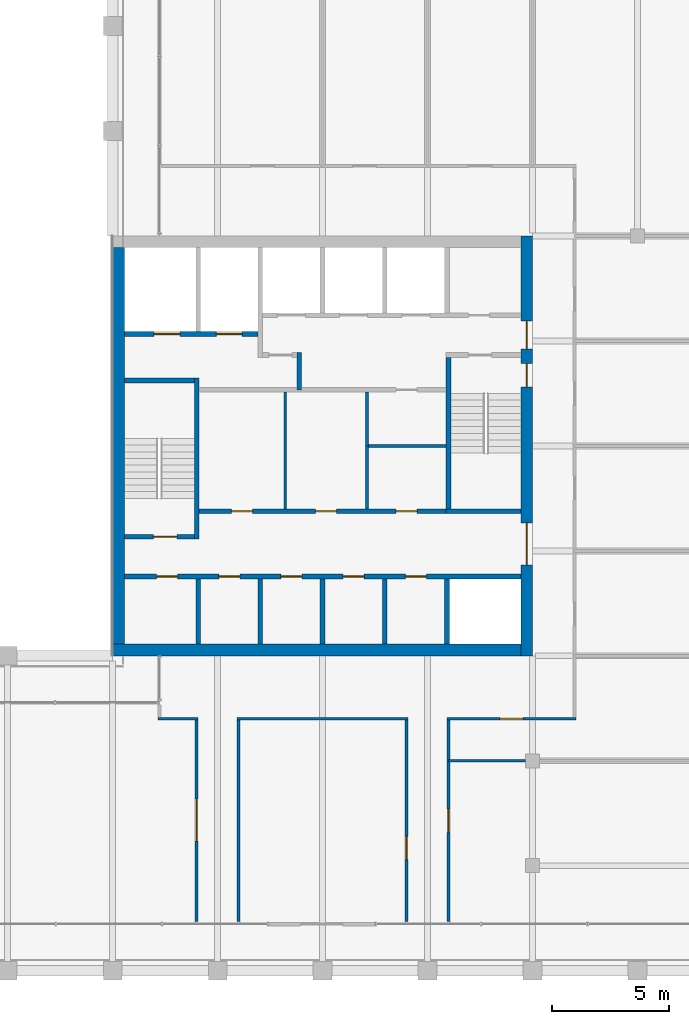
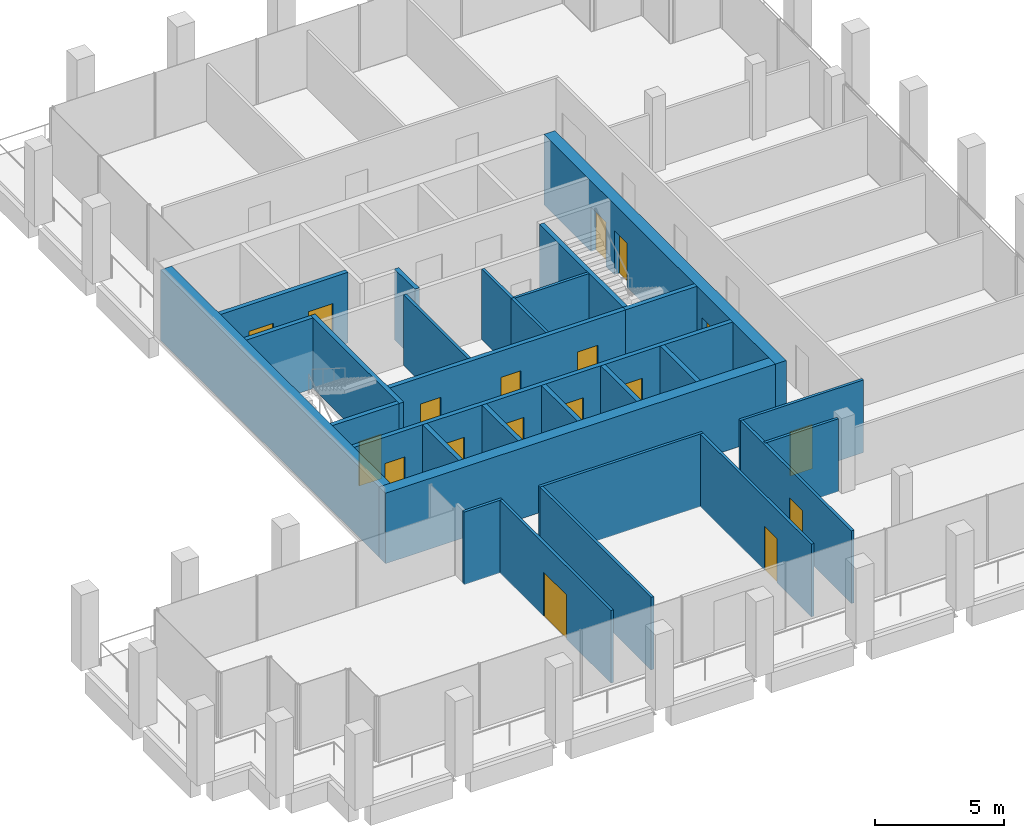
# One storey, part 28 of 30: 29 walls, 18 doors, 18 openings.
"""IFC4 building model written with IfcOpenShell, lengths in metres."""

import ifcopenshell
import ifcopenshell.guid

model = None  # the IFC model being written
_history = None  # IfcOwnerHistory: only IFC2X3 demands one
_inside = {}  # id of a spatial element -> (the spatial element, [elements in it])
_under = {}  # id of a project, library or spatial element -> (it, [spatial elements below it])
_declared = {}  # id of a project -> (the project, [libraries it declares])
_typed = {}  # id of a type object -> (the type object, [elements of that type])
_made_of = {}  # id of a material, layer set ... -> (it, [elements and type objects made of it])


def new_model(schema):
    """Start an empty IFC model of exactly this schema.

    Asked for "IFC4X3", IfcOpenShell would pick the latest addendum, in which some entities
    have other attributes; the version numbers below select the first issue.
    IFC2X3 requires an IfcOwnerHistory on every rooted entity: one is made here for all.
    """
    global model, _history
    if schema == "IFC4X3":
        model = ifcopenshell.file(schema_version=(4, 3, 0, 0))
    else:
        model = ifcopenshell.file(schema=schema)
    _inside.clear()
    _under.clear()
    _declared.clear()
    _typed.clear()
    _made_of.clear()
    _history = None
    if model.schema == "IFC2X3":
        org = make("IfcOrganization", Name="unknown")
        user = make(
            "IfcPersonAndOrganization",
            ThePerson=make("IfcPerson", FamilyName="unknown"),
            TheOrganization=org,
        )
        app = make(
            "IfcApplication",
            ApplicationDeveloper=org,
            Version="unknown",
            ApplicationFullName="unknown",
            ApplicationIdentifier="unknown",
        )
        _history = make(
            "IfcOwnerHistory",
            OwningUser=user,
            OwningApplication=app,
            ChangeAction="ADDED",
            CreationDate=0,
        )
    return model


def make(cls, **values):
    """One entity of the class cls with the attributes given. An attribute that is None is left unset."""
    return model.create_entity(
        cls, **{name: value for name, value in values.items() if value is not None}
    )


def rooted(cls, **values):
    """An entity with a GlobalId (a new one), such as an element, a storey or a relation."""
    return make(cls, GlobalId=ifcopenshell.guid.new(), OwnerHistory=_history, **values)


def si_unit(unit_type, name, prefix=None):
    """IfcSIUnit, for example si_unit("LENGTHUNIT", "METRE", prefix="MILLI")."""
    return make("IfcSIUnit", UnitType=unit_type, Prefix=prefix, Name=name)


def assignment(units):
    """IfcUnitAssignment: the units of a project."""
    return None if units is None else make("IfcUnitAssignment", Units=units)


def point(xyz):
    """IfcCartesianPoint."""
    return None if xyz is None else make("IfcCartesianPoint", Coordinates=xyz)


def direction(xyz):
    """IfcDirection."""
    return None if xyz is None else make("IfcDirection", DirectionRatios=xyz)


def frame(location, z_axis=None, x_axis=None):
    """IfcAxis2Placement3D, a coordinate frame: its origin and axes. An axis left out is left unset."""
    return make(
        "IfcAxis2Placement3D",
        Location=point(location),
        Axis=direction(z_axis),
        RefDirection=direction(x_axis),
    )


def frame_2d(location, x_axis=None):
    """IfcAxis2Placement2D, a coordinate frame in the plane: its origin and x axis."""
    return make(
        "IfcAxis2Placement2D", Location=point(location), RefDirection=direction(x_axis)
    )


def origin():
    """The frame at (0, 0, 0) with its axes left unset."""
    return frame((0.0, 0.0, 0.0))


def place(relative_to, where):
    """IfcLocalPlacement: puts the frame where relative to a parent placement (None: the world)."""
    return make(
        "IfcLocalPlacement", PlacementRelTo=relative_to, RelativePlacement=where
    )


def context(
    kind, dimensions, precision=None, world=None, true_north=None, identifier=None
):
    """IfcGeometricRepresentationContext, for example the 3D "Model" context."""
    return make(
        "IfcGeometricRepresentationContext",
        ContextIdentifier=identifier,
        ContextType=kind,
        CoordinateSpaceDimension=dimensions,
        Precision=precision,
        WorldCoordinateSystem=world,
        TrueNorth=true_north,
    )


def subcontext(parent, identifier, kind, view, scale=None):
    """IfcGeometricRepresentationSubContext, for example "Body" below "Model"."""
    return make(
        "IfcGeometricRepresentationSubContext",
        ContextIdentifier=identifier,
        ContextType=kind,
        ParentContext=parent,
        TargetScale=scale,
        TargetView=view,
    )


def project(units=None, contexts=None):
    """IfcProject with its units and contexts."""
    return rooted(
        "IfcProject",
        Name="project",
        RepresentationContexts=contexts,
        UnitsInContext=assignment(units),
    )


def spatial(cls, under=None, at=None, **own):
    """A site, building, storey or space (cls), placed at a placement, below another one or the project."""
    s = rooted(cls, ObjectPlacement=at, **own)
    if under is not None:
        _under.setdefault(under.id(), (under, []))[1].append(s)
    return s


def profile(cls, at=None, kind="AREA", **sizes):
    """A parametric profile (cls). Its sizes go by their IFC names, for example OverallWidth=200.0."""
    return make(cls, ProfileType=kind, Position=at, **sizes)


def rectangle(**sizes):
    """IfcRectangleProfileDef."""
    return profile("IfcRectangleProfileDef", **sizes)


def extrude(swept, where, along, depth):
    """IfcExtrudedAreaSolid: the profile swept, set in the frame where, extruded along a direction by depth."""
    return make(
        "IfcExtrudedAreaSolid",
        SweptArea=swept,
        Position=where,
        ExtrudedDirection=direction(along),
        Depth=depth,
    )


def shape(context_of_items, identifier, shape_type, items):
    """IfcShapeRepresentation: the items that make up one representation, for example the "Body"."""
    return make(
        "IfcShapeRepresentation",
        ContextOfItems=context_of_items,
        RepresentationIdentifier=identifier,
        RepresentationType=shape_type,
        Items=items,
    )


def material(Name=None, Category=None):
    """IfcMaterial."""
    return make("IfcMaterial", Name=Name, Category=Category)


def layer(
    of_material, thickness, ventilated=None, Name=None, Category=None, Priority=None
):
    """IfcMaterialLayer: one layer of a wall or slab, of a material (None: an air gap)."""
    return make(
        "IfcMaterialLayer",
        Material=of_material,
        LayerThickness=thickness,
        IsVentilated=ventilated,
        Name=Name,
        Category=Category,
        Priority=Priority,
    )


def layer_set(layers, Name=None):
    """IfcMaterialLayerSet."""
    return make("IfcMaterialLayerSet", MaterialLayers=layers, LayerSetName=Name)


def made_of(thing, what):
    """Note that an element or type object is made of a material, layer set ...; save() writes the relation."""
    if what is not None:
        _made_of.setdefault(what.id(), (what, []))[1].append(thing)
    return thing


def type_object(cls, material=None, **own):
    """A type object (cls), such as IfcWallType, which elements share."""
    return made_of(rooted(cls, **own), material)


def element(
    cls,
    number,
    at=None,
    inside=None,
    cuts=None,
    type_object=None,
    material=None,
    context=None,
    identifier="Body",
    shape_type=None,
    held_by="IfcProductDefinitionShape",
    body=None,
    shapes=None,
    **own,
):
    """One element of the class cls, such as IfcWall. Its Tag is "e" and its number.

    at: its placement. inside: the storey or other place that contains it. cuts: it is an
    opening in that element (IfcRelVoidsElement). A single representation is given by context,
    identifier, shape_type and body (its items); several are given by shapes. held_by: the class
    of the entity that holds the representations. save() writes the other relations.
    """
    e = rooted(cls, Tag="e%d" % number, ObjectPlacement=at, **own)
    if body is not None:
        shapes = [shape(context, identifier, shape_type, body)]
    if shapes is not None:
        e.Representation = make(held_by, Representations=shapes)
    if inside is not None:
        _inside.setdefault(inside.id(), (inside, []))[1].append(e)
    if cuts is not None:
        rooted(
            "IfcRelVoidsElement", RelatingBuildingElement=cuts, RelatedOpeningElement=e
        )
    if type_object is not None:
        _typed.setdefault(type_object.id(), (type_object, []))[1].append(e)
    return made_of(e, material)


def fill(opening, filler):
    """IfcRelFillsElement: the door or window that sits in an opening."""
    return rooted(
        "IfcRelFillsElement",
        RelatingOpeningElement=opening,
        RelatedBuildingElement=filler,
    )


def aggregate(whole, parts):
    """IfcRelAggregates: a whole, such as a stair, and the parts it consists of."""
    return rooted("IfcRelAggregates", RelatingObject=whole, RelatedObjects=parts)


def save(model, path):
    """Write the relations noted so far, then the file.

    IfcRelAggregates (storeys below a building ...), IfcRelContainedInSpatialStructure (elements
    in a storey), IfcRelDefinesByType, IfcRelAssociatesMaterial and IfcRelDeclares: one each for
    every whole, place, type object, material and project.
    """
    for whole, parts in _under.values():
        aggregate(whole, parts)
    for where, things in _inside.values():
        rooted(
            "IfcRelContainedInSpatialStructure",
            RelatedElements=things,
            RelatingStructure=where,
        )
    for kind, things in _typed.values():
        rooted("IfcRelDefinesByType", RelatedObjects=things, RelatingType=kind)
    for what, things in _made_of.values():
        rooted("IfcRelAssociatesMaterial", RelatedObjects=things, RelatingMaterial=what)
    for by, libraries in _declared.values():
        rooted("IfcRelDeclares", RelatingContext=by, RelatedDefinitions=libraries)
    model.write(path)


model = new_model("IFC4")

# Units and contexts
model_context = context("Model", 3, precision=1e-05, world=origin(), true_north=direction((0.0, 1.0)))
body_context = subcontext(model_context, "Body", "Model", "MODEL_VIEW")
ifc_project = project(units=[si_unit("LENGTHUNIT", "METRE"), si_unit("AREAUNIT", "SQUARE_METRE"), si_unit("VOLUMEUNIT", "CUBIC_METRE"), si_unit("PLANEANGLEUNIT", "RADIAN"), si_unit("MASSUNIT", "GRAM", prefix="KILO")], contexts=[model_context])

# Site, building, storey
site_placement = place(None, origin())
site = spatial("IfcSite", under=ifc_project, at=site_placement, CompositionType="ELEMENT")
building_placement = place(site_placement, origin())
building = spatial("IfcBuilding", under=site, at=building_placement, Name="Altepetl Exchange Towers", CompositionType="ELEMENT")
storey_placement = place(building_placement, frame((0.0, 0.0, 213.60009765625)))
storey = spatial("IfcBuildingStorey", under=building, at=storey_placement, Name="L54", CompositionType="ELEMENT", Elevation=213.60009765625)

# Wall, openings, doors
ifc_material_1 = material(Name="Concrete C70/85", Category="concrete")
ifc_layer_1 = layer(ifc_material_1, 0.5)
ifc_layer_set_1 = layer_set([ifc_layer_1], Name="Concrete C70/85")
wall_type_1 = type_object("IfcWallType", Name="Core wall 500 reinforced concrete", PredefinedType="SHEAR", material=ifc_layer_set_1)
wall_1_placement = place(storey_placement, frame((58.25, 40.5, 0.0), z_axis=(0.0, 0.0, 1.0), x_axis=(0.0, 1.0, 0.0)))
wall_1 = element("IfcWall", 1, at=wall_1_placement, inside=storey, type_object=wall_type_1, Name="wall:A:L54:K-coreE", PredefinedType="SHEAR", context=body_context, shape_type="SweptSolid", body=[
    extrude(rectangle(XDim=18.0, YDim=0.5, at=frame_2d((9.0, 0.0))), origin(), (0.0, 0.0, 1.0), 3.349853515625),
])
opening_1_placement = place(wall_1_placement, frame((13.14990234375, 0.0, 0.0)))
opening_1 = element("IfcOpeningElement", 2, at=opening_1_placement, cuts=wall_1, Name="Opening L54.A60", PredefinedType="OPENING", context=body_context, shape_type="SweptSolid", body=[
    extrude(rectangle(XDim=1.199951171875, YDim=2.10009765625, at=frame_2d((0.60009765625, 1.050048828125))), frame((0.0, 0.260009765625, 0.0), z_axis=(0.0, -1.0, 0.0), x_axis=(1.0, 0.0, 0.0)), (0.0, 0.0, 1.0), 0.52001953125),
])
opening_2_placement = place(wall_1_placement, frame((3.89990234375, 0.0, 0.0)))
opening_2 = element("IfcOpeningElement", 3, at=opening_2_placement, cuts=wall_1, Name="Opening L54.A61", PredefinedType="OPENING", context=body_context, shape_type="SweptSolid", body=[
    extrude(rectangle(XDim=1.800048828125, YDim=2.10009765625, at=frame_2d((0.89990234375, 1.050048828125))), frame((0.0, 0.260009765625, 0.0), z_axis=(0.0, -1.0, 0.0), x_axis=(1.0, 0.0, 0.0)), (0.0, 0.0, 1.0), 0.52001953125),
])
opening_3_placement = place(wall_1_placement, frame((11.52490234375, 0.0, 0.0)))
opening_3 = element("IfcOpeningElement", 4, at=opening_3_placement, cuts=wall_1, Name="Opening L54.A64", PredefinedType="OPENING", context=body_context, shape_type="SweptSolid", body=[
    extrude(rectangle(XDim=1.0, YDim=2.10009765625, at=frame_2d((0.5, 1.050048828125))), frame((0.0, 0.260009765625, 0.0), z_axis=(0.0, -1.0, 0.0), x_axis=(1.0, 0.0, 0.0)), (0.0, 0.0, 1.0), 0.52001953125),
])
ifc_material_2 = material(Name="Steel and timber fire door", Category="steel")
door_type_1 = type_object("IfcDoorType", Name="Fire door 1000 x 2100 stair and lobby", OperationType="SINGLE_SWING_LEFT", PredefinedType="DOOR", material=ifc_material_2)
door_1_placement = place(opening_3_placement, origin())
door_1 = element("IfcDoor", 5, at=door_1_placement, inside=storey, type_object=door_type_1, Name="door:A:L54:K-dS2x", OperationType="SINGLE_SWING_RIGHT", OverallHeight=2.10009765625, OverallWidth=1.0, PredefinedType="DOOR", context=body_context, shape_type="SweptSolid", body=[
    extrude(rectangle(XDim=1.0, YDim=2.10009765625, at=frame_2d((0.5, 1.050048828125))), frame((0.0, 0.02490234375, 0.0), z_axis=(0.0, -1.0, 0.0), x_axis=(1.0, 0.0, 0.0)), (0.0, 0.0, 1.0), 0.050048828125),
])
fill(opening_3, door_1)
door_type_2 = type_object("IfcDoorType", Name="Fire door 1200 x 2100 lobby entry", OperationType="SINGLE_SWING_LEFT", PredefinedType="DOOR", material=ifc_material_2)
door_2_placement = place(opening_1_placement, origin())
door_2 = element("IfcDoor", 6, at=door_2_placement, inside=storey, type_object=door_type_2, Name="door:A:L54:K-dLNE", OperationType="SINGLE_SWING_RIGHT", OverallHeight=2.10009765625, OverallWidth=1.199951171875, PredefinedType="DOOR", context=body_context, shape_type="SweptSolid", body=[
    extrude(rectangle(XDim=1.199951171875, YDim=2.10009765625, at=frame_2d((0.60009765625, 1.050048828125))), frame((0.0, 0.02490234375, 0.0), z_axis=(0.0, -1.0, 0.0), x_axis=(1.0, 0.0, 0.0)), (0.0, 0.0, 1.0), 0.050048828125),
])
fill(opening_1, door_2)
door_type_3 = type_object("IfcDoorType", Name="Fire door 1800 x 2100 lobby entry", OperationType="DOUBLE_DOOR_SINGLE_SWING", PredefinedType="DOOR", material=ifc_material_2)
door_3_placement = place(opening_2_placement, origin())
door_3 = element("IfcDoor", 7, at=door_3_placement, inside=storey, type_object=door_type_3, Name="door:A:L54:K-dLSE", OperationType="DOUBLE_DOOR_SINGLE_SWING", OverallHeight=2.10009765625, OverallWidth=1.800048828125, PredefinedType="DOOR", context=body_context, shape_type="SweptSolid", body=[
    extrude(rectangle(XDim=1.800048828125, YDim=2.10009765625, at=frame_2d((0.89990234375, 1.050048828125))), frame((0.0, 0.02490234375, 0.0), z_axis=(0.0, -1.0, 0.0), x_axis=(1.0, 0.0, 0.0)), (0.0, 0.0, 1.0), 0.050048828125),
])
fill(opening_2, door_3)

# Walls
wall_2_placement = place(storey_placement, frame((40.5, 40.75, 0.0)))
element("IfcWall", 8, at=wall_2_placement, inside=storey, type_object=wall_type_1, Name="wall:A:L54:K-coreS", PredefinedType="SHEAR", context=body_context, shape_type="SweptSolid", body=[
    extrude(rectangle(XDim=17.5, YDim=0.5, at=frame_2d((8.75, 0.0))), origin(), (0.0, 0.0, 1.0), 3.349853515625),
])
ifc_layer_2 = layer(ifc_material_1, 0.5)
ifc_layer_set_2 = layer_set([ifc_layer_2], Name="Concrete C70/85")
wall_type_2 = type_object("IfcWallType", Name="Core wall 500 reinforced concrete external", PredefinedType="SHEAR", material=ifc_layer_set_2)
wall_3_placement = place(storey_placement, frame((40.75, 41.0, 0.0), z_axis=(0.0, 0.0, 1.0), x_axis=(0.0, 1.0, 0.0)))
element("IfcWall", 9, at=wall_3_placement, inside=storey, type_object=wall_type_2, Name="wall:A:L54:K-coreW", PredefinedType="SHEAR", context=body_context, shape_type="SweptSolid", body=[
    extrude(rectangle(XDim=17.0, YDim=0.5, at=frame_2d((8.5, 0.0))), origin(), (0.0, 0.0, 1.0), 3.349853515625),
])
ifc_material_3 = material(Name="Concrete blockwork", Category="masonry")
ifc_layer_3 = layer(ifc_material_3, 0.199951171875)
ifc_layer_set_3 = layer_set([ifc_layer_3], Name="Concrete blockwork")
wall_type_3 = type_object("IfcWallType", Name="Lobby wall 200 blockwork", PredefinedType="PARTITIONING", material=ifc_layer_set_3)
wall_4_placement = place(storey_placement, frame((48.5, 51.89990234375, 0.0), z_axis=(0.0, 0.0, 1.0), x_axis=(0.0, 1.0, 0.0)))
element("IfcWall", 10, at=wall_4_placement, inside=storey, type_object=wall_type_3, Name="wall:A:L54:K-ffE", PredefinedType="PARTITIONING", context=body_context, shape_type="SweptSolid", body=[
    extrude(rectangle(XDim=1.60009765625, YDim=0.199951171875, at=frame_2d((0.800048828125, 0.0))), origin(), (0.0, 0.0, 1.0), 3.349853515625),
])

# Wall, openings, doors
wall_5_placement = place(storey_placement, frame((44.199951171875, 46.699951171875, 0.0)))
wall_5 = element("IfcWall", 11, at=wall_5_placement, inside=storey, type_object=wall_type_3, Name="wall:A:L54:K-zoneS", PredefinedType="PARTITIONING", context=body_context, shape_type="SweptSolid", body=[
    extrude(rectangle(XDim=10.60009765625, YDim=0.199951171875, at=frame_2d((5.300048828125, 0.0))), origin(), (0.0, 0.0, 1.0), 3.349853515625),
])
opening_4_placement = place(wall_5_placement, frame((1.39990234375, 0.0, 0.0)))
opening_4 = element("IfcOpeningElement", 12, at=opening_4_placement, cuts=wall_5, Name="Opening L54.A72", PredefinedType="OPENING", context=body_context, shape_type="SweptSolid", body=[
    extrude(rectangle(XDim=0.89990234375, YDim=2.10009765625, at=frame_2d((0.449951171875, 1.050048828125))), frame((0.0, 0.10986328125, 0.0), z_axis=(0.0, -1.0, 0.0), x_axis=(1.0, 0.0, 0.0)), (0.0, 0.0, 1.0), 0.219970703125),
])
opening_5_placement = place(wall_5_placement, frame((5.0, 0.0, 0.0)))
opening_5 = element("IfcOpeningElement", 13, at=opening_5_placement, cuts=wall_5, Name="Opening L54.A73", PredefinedType="OPENING", context=body_context, shape_type="SweptSolid", body=[
    extrude(rectangle(XDim=0.89990234375, YDim=2.10009765625, at=frame_2d((0.449951171875, 1.050048828125))), frame((0.0, 0.10986328125, 0.0), z_axis=(0.0, -1.0, 0.0), x_axis=(1.0, 0.0, 0.0)), (0.0, 0.0, 1.0), 0.219970703125),
])
opening_6_placement = place(wall_5_placement, frame((8.449951171875, 0.0, 0.0)))
opening_6 = element("IfcOpeningElement", 14, at=opening_6_placement, cuts=wall_5, Name="Opening L54.A74", PredefinedType="OPENING", context=body_context, shape_type="SweptSolid", body=[
    extrude(rectangle(XDim=0.89990234375, YDim=2.10009765625, at=frame_2d((0.449951171875, 1.050048828125))), frame((0.0, 0.10986328125, 0.0), z_axis=(0.0, -1.0, 0.0), x_axis=(1.0, 0.0, 0.0)), (0.0, 0.0, 1.0), 0.219970703125),
])
door_type_4 = type_object("IfcDoorType", Name="Fire door 900 x 2100 service room", OperationType="SINGLE_SWING_LEFT", PredefinedType="DOOR", material=ifc_material_2)
door_4_placement = place(opening_4_placement, origin())
door_4 = element("IfcDoor", 15, at=door_4_placement, inside=storey, type_object=door_type_4, Name="door:A:L54:K-dz1", OperationType="SINGLE_SWING_LEFT", OverallHeight=2.10009765625, OverallWidth=0.89990234375, PredefinedType="DOOR", context=body_context, shape_type="SweptSolid", body=[
    extrude(rectangle(XDim=0.89990234375, YDim=2.10009765625, at=frame_2d((0.449951171875, 1.050048828125))), frame((0.0, 0.02490234375, 0.0), z_axis=(0.0, -1.0, 0.0), x_axis=(1.0, 0.0, 0.0)), (0.0, 0.0, 1.0), 0.050048828125),
])
fill(opening_4, door_4)
door_5_placement = place(opening_5_placement, origin())
door_5 = element("IfcDoor", 16, at=door_5_placement, inside=storey, type_object=door_type_4, Name="door:A:L54:K-dz2", OperationType="SINGLE_SWING_RIGHT", OverallHeight=2.10009765625, OverallWidth=0.89990234375, PredefinedType="DOOR", context=body_context, shape_type="SweptSolid", body=[
    extrude(rectangle(XDim=0.89990234375, YDim=2.10009765625, at=frame_2d((0.449951171875, 1.050048828125))), frame((0.0, 0.02490234375, 0.0), z_axis=(0.0, -1.0, 0.0), x_axis=(1.0, 0.0, 0.0)), (0.0, 0.0, 1.0), 0.050048828125),
])
fill(opening_5, door_5)
door_6_placement = place(opening_6_placement, origin())
door_6 = element("IfcDoor", 17, at=door_6_placement, inside=storey, type_object=door_type_4, Name="door:A:L54:K-dz3", OperationType="SINGLE_SWING_RIGHT", OverallHeight=2.10009765625, OverallWidth=0.89990234375, PredefinedType="DOOR", context=body_context, shape_type="SweptSolid", body=[
    extrude(rectangle(XDim=0.89990234375, YDim=2.10009765625, at=frame_2d((0.449951171875, 1.050048828125))), frame((0.0, 0.02490234375, 0.0), z_axis=(0.0, -1.0, 0.0), x_axis=(1.0, 0.0, 0.0)), (0.0, 0.0, 1.0), 0.050048828125),
])
fill(opening_6, door_6)

# Walls
ifc_material_4 = material(Name="Gypsum board on steel studs", Category="steel")
ifc_layer_4 = layer(ifc_material_4, 0.125)
ifc_layer_set_4 = layer_set([ifc_layer_4], Name="Gypsum board on steel studs")
wall_type_4 = type_object("IfcWallType", Name="Partition 125 gypsum board on steel studs", PredefinedType="PARTITIONING", material=ifc_layer_set_4)
wall_6_placement = place(storey_placement, frame((47.89990234375, 46.800048828125, 0.0), z_axis=(0.0, 0.0, 1.0), x_axis=(0.0, 1.0, 0.0)))
element("IfcWall", 18, at=wall_6_placement, inside=storey, type_object=wall_type_4, Name="wall:A:L54:K-zp1", PredefinedType="PARTITIONING", context=body_context, shape_type="SweptSolid", body=[
    extrude(rectangle(XDim=5.0, YDim=0.125, at=frame_2d((2.5, 0.0))), origin(), (0.0, 0.0, 1.0), 3.349853515625),
])
wall_7_placement = place(storey_placement, frame((51.39990234375, 46.800048828125, 0.0), z_axis=(0.0, 0.0, 1.0), x_axis=(0.0, 1.0, 0.0)))
element("IfcWall", 19, at=wall_7_placement, inside=storey, type_object=wall_type_4, Name="wall:A:L54:K-zp2", PredefinedType="PARTITIONING", context=body_context, shape_type="SweptSolid", body=[
    extrude(rectangle(XDim=2.762451171875, YDim=0.125, at=frame_2d((1.38134765625, 0.0))), origin(), (0.0, 0.0, 1.0), 3.349853515625),
])
wall_8_placement = place(storey_placement, frame((54.800048828125, 49.5, 0.0), z_axis=(0.0, 0.0, 1.0), x_axis=(-1.0, 0.0, 0.0)))
element("IfcWall", 20, at=wall_8_placement, inside=storey, type_object=wall_type_4, Name="wall:A:L54:K-zp3", PredefinedType="PARTITIONING", context=body_context, shape_type="SweptSolid", body=[
    extrude(rectangle(XDim=3.337646484375, YDim=0.125, at=frame_2d((1.6689453125, 0.0))), origin(), (0.0, 0.0, 1.0), 3.349853515625),
])
wall_9_placement = place(storey_placement, frame((51.39990234375, 49.5, 0.0), z_axis=(0.0, 0.0, 1.0), x_axis=(0.0, 1.0, 0.0)))
element("IfcWall", 21, at=wall_9_placement, inside=storey, type_object=wall_type_4, Name="wall:A:L54:K-zp4", PredefinedType="PARTITIONING", context=body_context, shape_type="SweptSolid", body=[
    extrude(rectangle(XDim=2.300048828125, YDim=0.125, at=frame_2d((1.14990234375, 0.0))), origin(), (0.0, 0.0, 1.0), 3.349853515625),
])
wall_10_placement = place(storey_placement, frame((54.89990234375, 36.0, 0.0)))
element("IfcWall", 22, at=wall_10_placement, inside=storey, type_object=wall_type_4, Name="wall:A:L54:P01", PredefinedType="PARTITIONING", context=body_context, shape_type="SweptSolid", body=[
    extrude(rectangle(XDim=3.300048828125, YDim=0.125, at=frame_2d((1.64990234375, 0.0))), origin(), (0.0, 0.0, 1.0), 3.449951171875),
])
wall_11_placement = place(storey_placement, frame((42.4375, 37.800048828125, 0.0)))
element("IfcWall", 23, at=wall_11_placement, inside=storey, type_object=wall_type_4, Name="wall:A:L54:P03", PredefinedType="PARTITIONING", context=body_context, shape_type="SweptSolid", body=[
    extrude(rectangle(XDim=1.72509765625, YDim=0.125, at=frame_2d((0.862548828125, 0.0))), origin(), (0.0, 0.0, 1.0), 3.449951171875),
])
wall_12_placement = place(storey_placement, frame((45.83740234375, 37.800048828125, 0.0)))
element("IfcWall", 24, at=wall_12_placement, inside=storey, type_object=wall_type_4, Name="wall:A:L54:P04", PredefinedType="PARTITIONING", context=body_context, shape_type="SweptSolid", body=[
    extrude(rectangle(XDim=7.3251953125, YDim=0.125, at=frame_2d((3.66259765625, 0.0))), origin(), (0.0, 0.0, 1.0), 3.449951171875),
])

# Wall, opening, door
wall_13_placement = place(storey_placement, frame((54.83740234375, 37.800048828125, 0.0)))
wall_13 = element("IfcWall", 25, at=wall_13_placement, inside=storey, type_object=wall_type_4, Name="wall:A:L54:P05", PredefinedType="PARTITIONING", context=body_context, shape_type="SweptSolid", body=[
    extrude(rectangle(XDim=5.525146484375, YDim=0.125, at=frame_2d((2.7626953125, 0.0))), origin(), (0.0, 0.0, 1.0), 3.449951171875),
])
opening_7_placement = place(wall_13_placement, frame((2.262451171875, 0.0, 0.0)))
opening_7 = element("IfcOpeningElement", 26, at=opening_7_placement, cuts=wall_13, Name="Opening L54.A04", PredefinedType="OPENING", context=body_context, shape_type="SweptSolid", body=[
    extrude(rectangle(XDim=1.0, YDim=2.10009765625, at=frame_2d((0.5, 1.050048828125))), frame((0.0, 0.072509765625, 0.0), z_axis=(0.0, -1.0, 0.0), x_axis=(1.0, 0.0, 0.0)), (0.0, 0.0, 1.0), 0.14501953125),
])
door_type_5 = type_object("IfcDoorType", Name="Fire door 1000 x 2100 single leaf", OperationType="SINGLE_SWING_LEFT", PredefinedType="DOOR", material=ifc_material_2)
door_7_placement = place(opening_7_placement, origin())
door_7 = element("IfcDoor", 27, at=door_7_placement, inside=storey, type_object=door_type_5, Name="door:A:L54:04", OperationType="SINGLE_SWING_LEFT", OverallHeight=2.10009765625, OverallWidth=1.0, PredefinedType="DOOR", context=body_context, shape_type="SweptSolid", body=[
    extrude(rectangle(XDim=1.0, YDim=2.10009765625, at=frame_2d((0.5, 1.050048828125))), frame((0.0, 0.02490234375, 0.0), z_axis=(0.0, -1.0, 0.0), x_axis=(1.0, 0.0, 0.0)), (0.0, 0.0, 1.0), 0.050048828125),
])
fill(opening_7, door_7)

wall_14_placement = place(storey_placement, frame((44.10009765625, 29.10009765625, 0.0), z_axis=(0.0, 0.0, 1.0), x_axis=(0.0, 1.0, 0.0)))
wall_14 = element("IfcWall", 28, at=wall_14_placement, inside=storey, type_object=wall_type_4, Name="wall:A:L54:P15", PredefinedType="PARTITIONING", context=body_context, shape_type="SweptSolid", body=[
    extrude(rectangle(XDim=8.637451171875, YDim=0.125, at=frame_2d((4.31884765625, 0.0))), origin(), (0.0, 0.0, 1.0), 3.449951171875),
])
opening_8_placement = place(wall_14_placement, frame((3.449951171875, 0.0, 0.0)))
opening_8 = element("IfcOpeningElement", 29, at=opening_8_placement, cuts=wall_14, Name="Opening L54.A01", PredefinedType="OPENING", context=body_context, shape_type="SweptSolid", body=[
    extrude(rectangle(XDim=1.800048828125, YDim=2.10009765625, at=frame_2d((0.89990234375, 1.050048828125))), frame((0.0, 0.072509765625, 0.0), z_axis=(0.0, -1.0, 0.0), x_axis=(1.0, 0.0, 0.0)), (0.0, 0.0, 1.0), 0.14501953125),
])
door_type_6 = type_object("IfcDoorType", Name="Fire door 1800 x 2100 double leaf", OperationType="DOUBLE_DOOR_SINGLE_SWING", PredefinedType="DOOR", material=ifc_material_2)
door_8_placement = place(opening_8_placement, origin())
door_8 = element("IfcDoor", 30, at=door_8_placement, inside=storey, type_object=door_type_6, Name="door:A:L54:01", OperationType="DOUBLE_DOOR_SINGLE_SWING", OverallHeight=2.10009765625, OverallWidth=1.800048828125, PredefinedType="DOOR", context=body_context, shape_type="SweptSolid", body=[
    extrude(rectangle(XDim=1.800048828125, YDim=2.10009765625, at=frame_2d((0.89990234375, 1.050048828125))), frame((0.0, 0.02490234375, 0.0), z_axis=(0.0, -1.0, 0.0), x_axis=(1.0, 0.0, 0.0)), (0.0, 0.0, 1.0), 0.050048828125),
])
fill(opening_8, door_8)

# Wall
wall_15_placement = place(storey_placement, frame((45.89990234375, 29.10009765625, 0.0), z_axis=(0.0, 0.0, 1.0), x_axis=(0.0, 1.0, 0.0)))
element("IfcWall", 31, at=wall_15_placement, inside=storey, type_object=wall_type_4, Name="wall:A:L54:P16", PredefinedType="PARTITIONING", context=body_context, shape_type="SweptSolid", body=[
    extrude(rectangle(XDim=8.637451171875, YDim=0.125, at=frame_2d((4.31884765625, 0.0))), origin(), (0.0, 0.0, 1.0), 3.449951171875),
])

# Wall, opening, door
wall_16_placement = place(storey_placement, frame((53.10009765625, 29.10009765625, 0.0), z_axis=(0.0, 0.0, 1.0), x_axis=(0.0, 1.0, 0.0)))
wall_16 = element("IfcWall", 32, at=wall_16_placement, inside=storey, type_object=wall_type_4, Name="wall:A:L54:P18", PredefinedType="PARTITIONING", context=body_context, shape_type="SweptSolid", body=[
    extrude(rectangle(XDim=8.637451171875, YDim=0.125, at=frame_2d((4.31884765625, 0.0))), origin(), (0.0, 0.0, 1.0), 3.449951171875),
])
opening_9_placement = place(wall_16_placement, frame((2.659912109375, 0.0, 0.0)))
opening_9 = element("IfcOpeningElement", 33, at=opening_9_placement, cuts=wall_16, Name="Opening L54.A02", PredefinedType="OPENING", context=body_context, shape_type="SweptSolid", body=[
    extrude(rectangle(XDim=1.0, YDim=2.10009765625, at=frame_2d((0.5, 1.050048828125))), frame((0.0, 0.072509765625, 0.0), z_axis=(0.0, -1.0, 0.0), x_axis=(1.0, 0.0, 0.0)), (0.0, 0.0, 1.0), 0.14501953125),
])
door_9_placement = place(opening_9_placement, origin())
door_9 = element("IfcDoor", 34, at=door_9_placement, inside=storey, type_object=door_type_5, Name="door:A:L54:02", OperationType="SINGLE_SWING_RIGHT", OverallHeight=2.10009765625, OverallWidth=1.0, PredefinedType="DOOR", context=body_context, shape_type="SweptSolid", body=[
    extrude(rectangle(XDim=1.0, YDim=2.10009765625, at=frame_2d((0.5, 1.050048828125))), frame((0.0, 0.02490234375, 0.0), z_axis=(0.0, -1.0, 0.0), x_axis=(1.0, 0.0, 0.0)), (0.0, 0.0, 1.0), 0.050048828125),
])
fill(opening_9, door_9)

wall_17_placement = place(storey_placement, frame((54.89990234375, 29.10009765625, 0.0), z_axis=(0.0, 0.0, 1.0), x_axis=(0.0, 1.0, 0.0)))
wall_17 = element("IfcWall", 35, at=wall_17_placement, inside=storey, type_object=wall_type_4, Name="wall:A:L54:P20", PredefinedType="PARTITIONING", context=body_context, shape_type="SweptSolid", body=[
    extrude(rectangle(XDim=8.637451171875, YDim=0.125, at=frame_2d((4.31884765625, 0.0))), origin(), (0.0, 0.0, 1.0), 3.449951171875),
])
opening_10_placement = place(wall_17_placement, frame((3.824951171875, 0.0, 0.0)))
opening_10 = element("IfcOpeningElement", 36, at=opening_10_placement, cuts=wall_17, Name="Opening L54.A03", PredefinedType="OPENING", context=body_context, shape_type="SweptSolid", body=[
    extrude(rectangle(XDim=1.0, YDim=2.10009765625, at=frame_2d((0.5, 1.050048828125))), frame((0.0, 0.072509765625, 0.0), z_axis=(0.0, -1.0, 0.0), x_axis=(1.0, 0.0, 0.0)), (0.0, 0.0, 1.0), 0.14501953125),
])
door_10_placement = place(opening_10_placement, frame((1.0, 0.0, 0.0), x_axis=(-1.0, 0.0, 0.0)))
door_10 = element("IfcDoor", 37, at=door_10_placement, inside=storey, type_object=door_type_5, Name="door:A:L54:03", OperationType="SINGLE_SWING_LEFT", OverallHeight=2.10009765625, OverallWidth=1.0, PredefinedType="DOOR", context=body_context, shape_type="SweptSolid", body=[
    extrude(rectangle(XDim=1.0, YDim=2.10009765625, at=frame_2d((0.5, 1.050048828125))), frame((0.0, 0.02490234375, 0.0), z_axis=(0.0, -1.0, 0.0), x_axis=(1.0, 0.0, 0.0)), (0.0, 0.0, 1.0), 0.050048828125),
])
fill(opening_10, door_10)

# Wall
ifc_material_5 = material(Name="Concrete C40/50", Category="concrete")
ifc_layer_5 = layer(ifc_material_5, 0.199951171875)
ifc_layer_set_5 = layer_set([ifc_layer_5], Name="Concrete C40/50")
wall_type_5 = type_object("IfcWallType", Name="Shaft wall 200 reinforced concrete", PredefinedType="SHEAR", material=ifc_layer_set_5)
wall_18_placement = place(storey_placement, frame((54.833251953125, 41.0, 0.0), z_axis=(0.0, 0.0, 1.0), x_axis=(0.0, 1.0, 0.0)))
element("IfcWall", 38, at=wall_18_placement, inside=storey, type_object=wall_type_5, Name="wall:A:L54:K-divS5", PredefinedType="SHEAR", context=body_context, shape_type="SweptSolid", body=[
    extrude(rectangle(XDim=2.800048828125, YDim=0.199951171875, at=frame_2d((1.39990234375, 0.0))), origin(), (0.0, 0.0, 1.0), 3.349853515625),
])

# Wall, openings, doors
wall_19_placement = place(storey_placement, frame((41.0, 54.300048828125, 0.0)))
wall_19 = element("IfcWall", 39, at=wall_19_placement, inside=storey, type_object=wall_type_5, Name="wall:A:L54:K-frontNd", PredefinedType="SHEAR", context=body_context, shape_type="SweptSolid", body=[
    extrude(rectangle(XDim=5.7333984375, YDim=0.199951171875, at=frame_2d((2.86669921875, 0.0))), origin(), (0.0, 0.0, 1.0), 3.349853515625),
])
opening_11_placement = place(wall_19_placement, frame((1.283203125, 0.0, 0.0)))
opening_11 = element("IfcOpeningElement", 40, at=opening_11_placement, cuts=wall_19, Name="Opening L54.A76", PredefinedType="OPENING", context=body_context, shape_type="SweptSolid", body=[
    extrude(rectangle(XDim=1.10009765625, YDim=2.10009765625, at=frame_2d((0.550048828125, 1.050048828125))), frame((0.0, 0.10986328125, 0.0), z_axis=(0.0, -1.0, 0.0), x_axis=(1.0, 0.0, 0.0)), (0.0, 0.0, 1.0), 0.219970703125),
])
opening_12_placement = place(wall_19_placement, frame((3.949951171875, 0.0, 0.0)))
opening_12 = element("IfcOpeningElement", 41, at=opening_12_placement, cuts=wall_19, Name="Opening L54.A77", PredefinedType="OPENING", context=body_context, shape_type="SweptSolid", body=[
    extrude(rectangle(XDim=1.10009765625, YDim=2.10009765625, at=frame_2d((0.550048828125, 1.050048828125))), frame((0.0, 0.10986328125, 0.0), z_axis=(0.0, -1.0, 0.0), x_axis=(1.0, 0.0, 0.0)), (0.0, 0.0, 1.0), 0.219970703125),
])
ifc_material_6 = material(Name="Stainless steel", Category="steel")
door_type_7 = type_object("IfcDoorType", Name="Lift landing door 1100 x 2100", OperationType="SLIDING_TO_LEFT", PredefinedType="DOOR", material=ifc_material_6)
door_11_placement = place(opening_11_placement, origin())
door_11 = element("IfcDoor", 42, at=door_11_placement, inside=storey, type_object=door_type_7, Name="Landing door FFL1", OperationType="SLIDING_TO_LEFT", OverallHeight=2.10009765625, OverallWidth=1.10009765625, PredefinedType="DOOR", context=body_context, shape_type="SweptSolid", body=[
    extrude(rectangle(XDim=1.10009765625, YDim=2.10009765625, at=frame_2d((0.550048828125, 1.050048828125))), frame((0.0, 0.02490234375, 0.0), z_axis=(0.0, -1.0, 0.0), x_axis=(1.0, 0.0, 0.0)), (0.0, 0.0, 1.0), 0.050048828125),
])
fill(opening_11, door_11)
door_12_placement = place(opening_12_placement, origin())
door_12 = element("IfcDoor", 43, at=door_12_placement, inside=storey, type_object=door_type_7, Name="Landing door FFL2", OperationType="SLIDING_TO_LEFT", OverallHeight=2.10009765625, OverallWidth=1.10009765625, PredefinedType="DOOR", context=body_context, shape_type="SweptSolid", body=[
    extrude(rectangle(XDim=1.10009765625, YDim=2.10009765625, at=frame_2d((0.550048828125, 1.050048828125))), frame((0.0, 0.02490234375, 0.0), z_axis=(0.0, -1.0, 0.0), x_axis=(1.0, 0.0, 0.0)), (0.0, 0.0, 1.0), 0.050048828125),
])
fill(opening_12, door_12)

wall_20_placement = place(storey_placement, frame((41.0, 43.89990234375, 0.0)))
wall_20 = element("IfcWall", 44, at=wall_20_placement, inside=storey, type_object=wall_type_5, Name="wall:A:L54:K-frontS", PredefinedType="SHEAR", context=body_context, shape_type="SweptSolid", body=[
    extrude(rectangle(XDim=17.0, YDim=0.199951171875, at=frame_2d((8.5, 0.0))), origin(), (0.0, 0.0, 1.0), 3.349853515625),
])
opening_13_placement = place(wall_20_placement, frame((1.38330078125, 0.0, 0.0)))
opening_13 = element("IfcOpeningElement", 45, at=opening_13_placement, cuts=wall_20, Name="Opening L54.A67", PredefinedType="OPENING", context=body_context, shape_type="SweptSolid", body=[
    extrude(rectangle(XDim=0.89990234375, YDim=2.10009765625, at=frame_2d((0.449951171875, 1.050048828125))), frame((0.0, 0.10986328125, 0.0), z_axis=(0.0, -1.0, 0.0), x_axis=(1.0, 0.0, 0.0)), (0.0, 0.0, 1.0), 0.219970703125),
])
opening_14_placement = place(wall_20_placement, frame((4.050048828125, 0.0, 0.0)))
opening_14 = element("IfcOpeningElement", 46, at=opening_14_placement, cuts=wall_20, Name="Opening L54.A68", PredefinedType="OPENING", context=body_context, shape_type="SweptSolid", body=[
    extrude(rectangle(XDim=0.89990234375, YDim=2.10009765625, at=frame_2d((0.449951171875, 1.050048828125))), frame((0.0, 0.10986328125, 0.0), z_axis=(0.0, -1.0, 0.0), x_axis=(1.0, 0.0, 0.0)), (0.0, 0.0, 1.0), 0.219970703125),
])
opening_15_placement = place(wall_20_placement, frame((6.716796875, 0.0, 0.0)))
opening_15 = element("IfcOpeningElement", 47, at=opening_15_placement, cuts=wall_20, Name="Opening L54.A69", PredefinedType="OPENING", context=body_context, shape_type="SweptSolid", body=[
    extrude(rectangle(XDim=0.89990234375, YDim=2.10009765625, at=frame_2d((0.449951171875, 1.050048828125))), frame((0.0, 0.10986328125, 0.0), z_axis=(0.0, -1.0, 0.0), x_axis=(1.0, 0.0, 0.0)), (0.0, 0.0, 1.0), 0.219970703125),
])
opening_16_placement = place(wall_20_placement, frame((9.38330078125, 0.0, 0.0)))
opening_16 = element("IfcOpeningElement", 48, at=opening_16_placement, cuts=wall_20, Name="Opening L54.A70", PredefinedType="OPENING", context=body_context, shape_type="SweptSolid", body=[
    extrude(rectangle(XDim=0.89990234375, YDim=2.10009765625, at=frame_2d((0.449951171875, 1.050048828125))), frame((0.0, 0.10986328125, 0.0), z_axis=(0.0, -1.0, 0.0), x_axis=(1.0, 0.0, 0.0)), (0.0, 0.0, 1.0), 0.219970703125),
])
opening_17_placement = place(wall_20_placement, frame((12.050048828125, 0.0, 0.0)))
opening_17 = element("IfcOpeningElement", 49, at=opening_17_placement, cuts=wall_20, Name="Opening L54.A71", PredefinedType="OPENING", context=body_context, shape_type="SweptSolid", body=[
    extrude(rectangle(XDim=0.89990234375, YDim=2.10009765625, at=frame_2d((0.449951171875, 1.050048828125))), frame((0.0, 0.10986328125, 0.0), z_axis=(0.0, -1.0, 0.0), x_axis=(1.0, 0.0, 0.0)), (0.0, 0.0, 1.0), 0.219970703125),
])
door_13_placement = place(opening_13_placement, frame((0.89990234375, 0.0, 0.0), x_axis=(-1.0, 0.0, 0.0)))
door_13 = element("IfcDoor", 50, at=door_13_placement, inside=storey, type_object=door_type_4, Name="door:A:L54:K-dslotS0", OperationType="SINGLE_SWING_LEFT", OverallHeight=2.10009765625, OverallWidth=0.89990234375, PredefinedType="DOOR", context=body_context, shape_type="SweptSolid", body=[
    extrude(rectangle(XDim=0.89990234375, YDim=2.10009765625, at=frame_2d((0.449951171875, 1.050048828125))), frame((0.0, 0.02490234375, 0.0), z_axis=(0.0, -1.0, 0.0), x_axis=(1.0, 0.0, 0.0)), (0.0, 0.0, 1.0), 0.050048828125),
])
fill(opening_13, door_13)
door_14_placement = place(opening_14_placement, frame((0.89990234375, 0.0, 0.0), x_axis=(-1.0, 0.0, 0.0)))
door_14 = element("IfcDoor", 51, at=door_14_placement, inside=storey, type_object=door_type_4, Name="door:A:L54:K-dslotS1", OperationType="SINGLE_SWING_LEFT", OverallHeight=2.10009765625, OverallWidth=0.89990234375, PredefinedType="DOOR", context=body_context, shape_type="SweptSolid", body=[
    extrude(rectangle(XDim=0.89990234375, YDim=2.10009765625, at=frame_2d((0.449951171875, 1.050048828125))), frame((0.0, 0.02490234375, 0.0), z_axis=(0.0, -1.0, 0.0), x_axis=(1.0, 0.0, 0.0)), (0.0, 0.0, 1.0), 0.050048828125),
])
fill(opening_14, door_14)
door_15_placement = place(opening_15_placement, frame((0.89990234375, 0.0, 0.0), x_axis=(-1.0, 0.0, 0.0)))
door_15 = element("IfcDoor", 52, at=door_15_placement, inside=storey, type_object=door_type_4, Name="door:A:L54:K-dslotS2", OperationType="SINGLE_SWING_LEFT", OverallHeight=2.10009765625, OverallWidth=0.89990234375, PredefinedType="DOOR", context=body_context, shape_type="SweptSolid", body=[
    extrude(rectangle(XDim=0.89990234375, YDim=2.10009765625, at=frame_2d((0.449951171875, 1.050048828125))), frame((0.0, 0.02490234375, 0.0), z_axis=(0.0, -1.0, 0.0), x_axis=(1.0, 0.0, 0.0)), (0.0, 0.0, 1.0), 0.050048828125),
])
fill(opening_15, door_15)
door_16_placement = place(opening_16_placement, frame((0.89990234375, 0.0, 0.0), x_axis=(-1.0, 0.0, 0.0)))
door_16 = element("IfcDoor", 53, at=door_16_placement, inside=storey, type_object=door_type_4, Name="door:A:L54:K-dslotS3", OperationType="SINGLE_SWING_LEFT", OverallHeight=2.10009765625, OverallWidth=0.89990234375, PredefinedType="DOOR", context=body_context, shape_type="SweptSolid", body=[
    extrude(rectangle(XDim=0.89990234375, YDim=2.10009765625, at=frame_2d((0.449951171875, 1.050048828125))), frame((0.0, 0.02490234375, 0.0), z_axis=(0.0, -1.0, 0.0), x_axis=(1.0, 0.0, 0.0)), (0.0, 0.0, 1.0), 0.050048828125),
])
fill(opening_16, door_16)
door_17_placement = place(opening_17_placement, frame((0.89990234375, 0.0, 0.0), x_axis=(-1.0, 0.0, 0.0)))
door_17 = element("IfcDoor", 54, at=door_17_placement, inside=storey, type_object=door_type_4, Name="door:A:L54:K-dslotS4", OperationType="SINGLE_SWING_LEFT", OverallHeight=2.10009765625, OverallWidth=0.89990234375, PredefinedType="DOOR", context=body_context, shape_type="SweptSolid", body=[
    extrude(rectangle(XDim=0.89990234375, YDim=2.10009765625, at=frame_2d((0.449951171875, 1.050048828125))), frame((0.0, 0.02490234375, 0.0), z_axis=(0.0, -1.0, 0.0), x_axis=(1.0, 0.0, 0.0)), (0.0, 0.0, 1.0), 0.050048828125),
])
fill(opening_17, door_17)

# Walls
ifc_layer_6 = layer(ifc_material_1, 0.199951171875)
ifc_layer_set_6 = layer_set([ifc_layer_6], Name="Concrete C70/85")
wall_type_6 = type_object("IfcWallType", Name="Shear wall 200 reinforced concrete", PredefinedType="SHEAR", material=ifc_layer_set_6)
for number, where, z_axis, x_axis, name in (
    (55, (44.166748046875, 41.0, 0.0), (0.0, 0.0, 1.0), (0.0, 1.0, 0.0), "wall:A:L54:K-divS1"),
    (56, (46.833251953125, 41.0, 0.0), (0.0, 0.0, 1.0), (0.0, 1.0, 0.0), "wall:A:L54:K-divS2"),
    (57, (49.5, 41.0, 0.0), (0.0, 0.0, 1.0), (0.0, 1.0, 0.0), "wall:A:L54:K-divS3"),
    (58, (52.166748046875, 41.0, 0.0), (0.0, 0.0, 1.0), (0.0, 1.0, 0.0), "wall:A:L54:K-divS4"),
):
    element("IfcWall", number, at=place(storey_placement, frame(where, z_axis=z_axis, x_axis=x_axis)), inside=storey, type_object=wall_type_6, Name=name, PredefinedType="SHEAR", context=body_context, shape_type="SweptSolid", body=[
        extrude(rectangle(XDim=2.800048828125, YDim=0.199951171875, at=frame_2d((1.39990234375, 0.0))), origin(), (0.0, 0.0, 1.0), 3.349853515625),
    ])
ifc_layer_7 = layer(ifc_material_5, 0.199951171875)
ifc_layer_set_7 = layer_set([ifc_layer_7], Name="Concrete C40/50")
wall_type_7 = type_object("IfcWallType", Name="Stair wall 200 reinforced concrete", PredefinedType="SHEAR", material=ifc_layer_set_7)
wall_21_placement = place(storey_placement, frame((44.10009765625, 45.5, 0.0), z_axis=(0.0, 0.0, 1.0), x_axis=(0.0, 1.0, 0.0)))
element("IfcWall", 59, at=wall_21_placement, inside=storey, type_object=wall_type_7, Name="wall:A:L54:K-stS1E", PredefinedType="SHEAR", context=body_context, shape_type="SweptSolid", body=[
    extrude(rectangle(XDim=6.89990234375, YDim=0.199951171875, at=frame_2d((3.449951171875, 0.0))), origin(), (0.0, 0.0, 1.0), 3.349853515625),
])
wall_22_placement = place(storey_placement, frame((41.0, 52.300048828125, 0.0)))
element("IfcWall", 60, at=wall_22_placement, inside=storey, type_object=wall_type_7, Name="wall:A:L54:K-stS1N", PredefinedType="SHEAR", context=body_context, shape_type="SweptSolid", body=[
    extrude(rectangle(XDim=3.0, YDim=0.199951171875, at=frame_2d((1.5, 0.0))), origin(), (0.0, 0.0, 1.0), 3.349853515625),
])

# Wall, opening, door
wall_23_placement = place(storey_placement, frame((41.0, 45.60009765625, 0.0)))
wall_23 = element("IfcWall", 61, at=wall_23_placement, inside=storey, type_object=wall_type_7, Name="wall:A:L54:K-stS1S", PredefinedType="SHEAR", context=body_context, shape_type="SweptSolid", body=[
    extrude(rectangle(XDim=3.0, YDim=0.199951171875, at=frame_2d((1.5, 0.0))), origin(), (0.0, 0.0, 1.0), 3.349853515625),
])
opening_18_placement = place(wall_23_placement, frame((1.25, 0.0, 0.0)))
opening_18 = element("IfcOpeningElement", 62, at=opening_18_placement, cuts=wall_23, Name="Opening L54.A62", PredefinedType="OPENING", context=body_context, shape_type="SweptSolid", body=[
    extrude(rectangle(XDim=1.0, YDim=2.10009765625, at=frame_2d((0.5, 1.050048828125))), frame((0.0, 0.10986328125, 0.0), z_axis=(0.0, -1.0, 0.0), x_axis=(1.0, 0.0, 0.0)), (0.0, 0.0, 1.0), 0.219970703125),
])
door_18_placement = place(opening_18_placement, origin())
door_18 = element("IfcDoor", 63, at=door_18_placement, inside=storey, type_object=door_type_1, Name="door:A:L54:K-dS1in", OperationType="SINGLE_SWING_RIGHT", OverallHeight=2.10009765625, OverallWidth=1.0, PredefinedType="DOOR", context=body_context, shape_type="SweptSolid", body=[
    extrude(rectangle(XDim=1.0, YDim=2.10009765625, at=frame_2d((0.5, 1.050048828125))), frame((0.0, 0.02490234375, 0.0), z_axis=(0.0, -1.0, 0.0), x_axis=(1.0, 0.0, 0.0)), (0.0, 0.0, 1.0), 0.050048828125),
])
fill(opening_18, door_18)

# Walls
wall_24_placement = place(storey_placement, frame((54.800048828125, 46.699951171875, 0.0)))
element("IfcWall", 64, at=wall_24_placement, inside=storey, type_object=wall_type_7, Name="wall:A:L54:K-stS2S", PredefinedType="SHEAR", context=body_context, shape_type="SweptSolid", body=[
    extrude(rectangle(XDim=3.199951171875, YDim=0.199951171875, at=frame_2d((1.60009765625, 0.0))), origin(), (0.0, 0.0, 1.0), 3.349853515625),
])
wall_25_placement = place(storey_placement, frame((54.89990234375, 46.800048828125, 0.0), z_axis=(0.0, 0.0, 1.0), x_axis=(0.0, 1.0, 0.0)))
element("IfcWall", 65, at=wall_25_placement, inside=storey, type_object=wall_type_7, Name="wall:A:L54:K-stS2W", PredefinedType="SHEAR", context=body_context, shape_type="SweptSolid", body=[
    extrude(rectangle(XDim=6.5, YDim=0.199951171875, at=frame_2d((3.25, 0.0))), origin(), (0.0, 0.0, 1.0), 3.349853515625),
])

save(model, "model.ifc")
